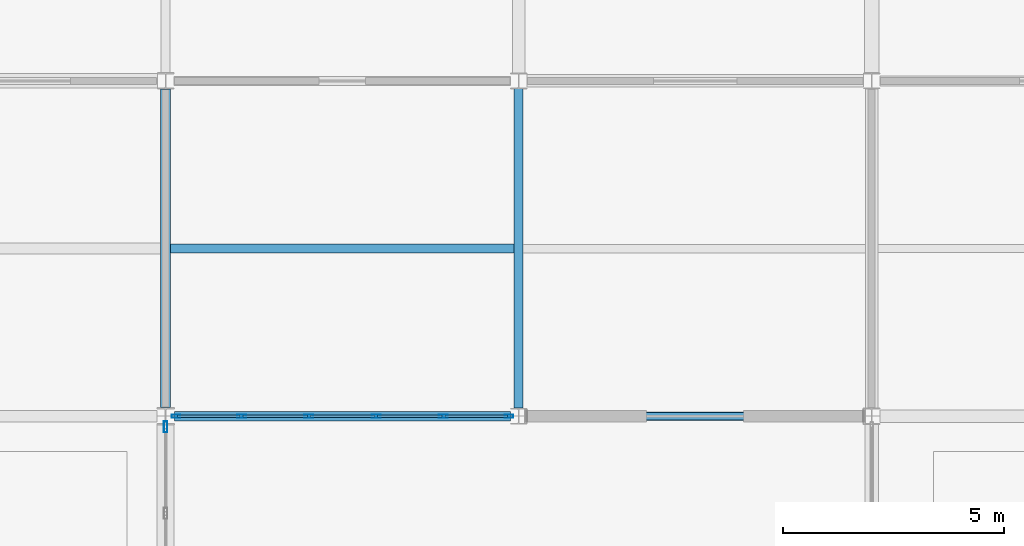
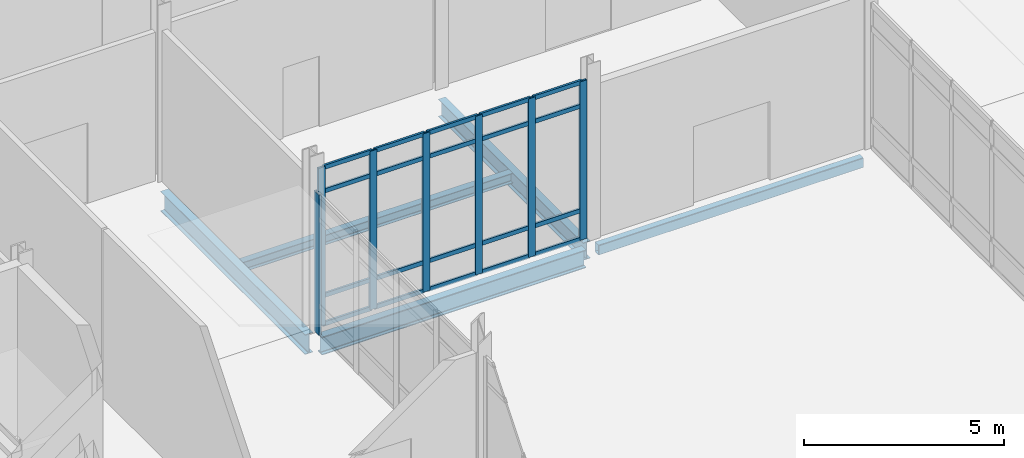
# One storey, part 56 of 229: 27 members, 5 beams, 2 elements without a shape of their own.
"""IFC4 building model written with IfcOpenShell, lengths in metres."""

from ifc_helpers import new_model, si_unit, direction, frame, origin, origin_2d, place, context, subcontext, project, spatial, hollow_rectangle, i_section, extrude, material, layer, layer_set, material_profile, profile_set, type_object, element, aggregate, save


model = new_model("IFC4")

# Units and contexts
model_context = context("Model", 3, precision=1e-05, world=origin(), true_north=direction((0.0, 1.0)))
body_context = subcontext(model_context, "Body", "Model", "MODEL_VIEW")
ifc_project = project(units=[si_unit("LENGTHUNIT", "METRE"), si_unit("AREAUNIT", "SQUARE_METRE"), si_unit("VOLUMEUNIT", "CUBIC_METRE"), si_unit("PLANEANGLEUNIT", "RADIAN"), si_unit("MASSUNIT", "GRAM", prefix="KILO")], contexts=[model_context])

# Site, building, storey
site_placement = place(None, origin())
site = spatial("IfcSite", under=ifc_project, at=site_placement, CompositionType="ELEMENT")
building_placement = place(site_placement, origin())
building = spatial("IfcBuilding", under=site, at=building_placement, Name="Calvrana Isthmian Art Gallery", CompositionType="ELEMENT")
storey_placement = place(building_placement, origin())
storey = spatial("IfcBuildingStorey", under=building, at=storey_placement, Name="L00", CompositionType="ELEMENT", Elevation=0.0)

# Beams
ifc_material_1 = material(Name="Steel ASTM A992 Gr 50", Category="steel")
ifc_material_profile_1 = material_profile(ifc_material_1, i_section(OverallWidth=0.208984375, OverallDepth=0.532958984375, WebThickness=0.01025390625, FlangeThickness=0.015625, FilletRadius=0.02099609375, at=origin_2d()), Name="W21X62")
ifc_profile_set_1 = profile_set([ifc_material_profile_1], Name="Steel ASTM A992 Gr 50")
beam_type_1 = type_object("IfcBeamType", Name="BM-G-W21X62", PredefinedType="BEAM", material=ifc_profile_set_1)
beam_1_placement = place(storey_placement, frame((88.39990234375, 46.986572265625, -0.551513671875), z_axis=(0.0, 1.0, 0.0), x_axis=(-1.0, 0.0, 0.0)))
element("IfcBeam", 1, at=beam_1_placement, inside=storey, type_object=beam_type_1, Name="Girder Y L00 12/G-H", PredefinedType="BEAM", context=body_context, shape_type="SweptSolid", body=[
    extrude(i_section(OverallWidth=0.208984375, OverallDepth=0.532958984375, WebThickness=0.01025390625, FlangeThickness=0.015625, FilletRadius=0.02099609375, at=origin_2d()), origin(), (0.0, 0.0, 1.0), 7.2353515625),
])
ifc_material_profile_2 = material_profile(ifc_material_1, i_section(OverallWidth=0.214111328125, OverallDepth=0.549072265625, WebThickness=0.0146484375, FlangeThickness=0.023681640625, FilletRadius=0.02099609375, at=origin_2d()), Name="W21X93")
ifc_profile_set_2 = profile_set([ifc_material_profile_2], Name="Steel ASTM A992 Gr 50")
beam_type_2 = type_object("IfcBeamType", Name="BM-G-W21X93", PredefinedType="BEAM", material=ifc_profile_set_2)
beam_2_placement = place(storey_placement, frame((80.599609375, 46.800048828125, -0.5595703125), z_axis=(1.0, 0.0, 0.0), x_axis=(0.0, 1.0, 0.0)))
element("IfcBeam", 2, at=beam_2_placement, inside=storey, type_object=beam_type_2, Name="Girder X L00 11-12/G", PredefinedType="BEAM", context=body_context, shape_type="SweptSolid", body=[
    extrude(i_section(OverallWidth=0.214111328125, OverallDepth=0.549072265625, WebThickness=0.0146484375, FlangeThickness=0.023681640625, FilletRadius=0.02099609375, at=origin_2d()), origin(), (0.0, 0.0, 1.0), 7.61376953125),
])
ifc_material_profile_3 = material_profile(ifc_material_1, i_section(OverallWidth=0.22802734375, OverallDepth=0.60693359375, WebThickness=0.01123046875, FlangeThickness=0.017333984375, FilletRadius=0.02197265625, at=origin_2d()), Name="W24X76")
ifc_profile_set_3 = profile_set([ifc_material_profile_3], Name="Steel ASTM A992 Gr 50")
beam_type_3 = type_object("IfcBeamType", Name="BM-G-W24X76", PredefinedType="BEAM", material=ifc_profile_set_3)
beam_3_placement = place(storey_placement, frame((80.39990234375, 46.9970703125, -0.58837890625), z_axis=(0.0, 1.0, 0.0), x_axis=(-1.0, 0.0, 0.0)))
element("IfcBeam", 3, at=beam_3_placement, inside=storey, type_object=beam_type_3, Name="Girder Y L00 11/G-H", PredefinedType="BEAM", context=body_context, shape_type="SweptSolid", body=[
    extrude(i_section(OverallWidth=0.22802734375, OverallDepth=0.60693359375, WebThickness=0.01123046875, FlangeThickness=0.017333984375, FilletRadius=0.02197265625, at=origin_2d()), origin(), (0.0, 0.0, 1.0), 7.221435546875),
])
ifc_material_profile_4 = material_profile(ifc_material_1, i_section(OverallWidth=0.202880859375, OverallDepth=0.302001953125, WebThickness=0.007568359375, FlangeThickness=0.01318359375, FilletRadius=0.01611328125, at=origin_2d()), Name="W12X40")
ifc_profile_set_4 = profile_set([ifc_material_profile_4], Name="Steel ASTM A992 Gr 50")
beam_type_4 = type_object("IfcBeamType", Name="BM-J-W12X40", PredefinedType="JOIST", material=ifc_profile_set_4)
beam_4_placement = place(storey_placement, frame((80.513916015625, 50.60009765625, -0.43603515625), z_axis=(1.0, 0.0, 0.0), x_axis=(0.0, 1.0, 0.0)))
element("IfcBeam", 4, at=beam_4_placement, inside=storey, type_object=beam_type_4, Name="Composite joist L00 bay 10-06", PredefinedType="JOIST", context=body_context, shape_type="SweptSolid", body=[
    extrude(i_section(OverallWidth=0.202880859375, OverallDepth=0.302001953125, WebThickness=0.007568359375, FlangeThickness=0.01318359375, FilletRadius=0.01611328125, at=origin_2d()), origin(), (0.0, 0.0, 1.0), 7.781494140625),
])
ifc_material_2 = material(Name="Steel ASTM A500 Gr C", Category="steel")
ifc_material_profile_5 = material_profile(ifc_material_2, hollow_rectangle(XDim=0.203125, YDim=0.3046875, WallThickness=0.0126953125, OuterFilletRadius=0.02490234375, at=origin_2d()), Name="HSS305X203X12.7")
ifc_profile_set_5 = profile_set([ifc_material_profile_5], Name="Steel ASTM A500 Gr C")
beam_type_5 = type_object("IfcBeamType", Name="BM-SP-HSS305", PredefinedType="SPANDREL", material=ifc_profile_set_5)
beam_5_placement = place(storey_placement, frame((88.58642578125, 46.800048828125, -0.4375), z_axis=(1.0, 0.0, 0.0), x_axis=(0.0, 1.0, 0.0)))
element("IfcBeam", 5, at=beam_5_placement, inside=storey, type_object=beam_type_5, Name="Girder X L00 12-13/G", PredefinedType="SPANDREL", context=body_context, shape_type="SweptSolid", body=[
    extrude(hollow_rectangle(XDim=0.203125, YDim=0.3046875, WallThickness=0.0126953125, OuterFilletRadius=0.02490234375, at=origin_2d()), origin(), (0.0, 0.0, 1.0), 7.626953125),
])

# Curtain wall, members
ifc_material_3 = material(Name="Anodized bronze aluminium 6063-T6", Category="aluminium")
ifc_layer_1 = layer(ifc_material_3, 0.179931640625, Name="Anodized bronze aluminium 6063-T6")
ifc_layer_set_1 = layer_set([ifc_layer_1], Name="Anodized bronze aluminium 6063-T6")
curtain_wall_type_1 = type_object("IfcCurtainWallType", Name="CW-UNIT-076X48", PredefinedType="USERDEFINED", material=ifc_layer_set_1)
curtain_wall_1_placement = place(storey_placement, origin())
curtain_wall_1 = element("IfcCurtainWall", 6, at=curtain_wall_1_placement, inside=storey, type_object=curtain_wall_type_1, Name="Curtain wall CW-021", ObjectType="UNITISED CURTAIN WALL", PredefinedType="USERDEFINED")
ifc_material_profile_6 = material_profile(ifc_material_3, hollow_rectangle(XDim=0.070068359375, YDim=0.199951171875, WallThickness=0.0048828125, at=origin_2d()), Name="CWM70X200")
ifc_profile_set_6 = profile_set([ifc_material_profile_6], Name="Anodized bronze aluminium 6063-T6")
member_type_1 = type_object("IfcMemberType", Name="CWM-CWM70X200", PredefinedType="MULLION", material=ifc_profile_set_6)
member_1_placement = place(storey_placement, frame((88.180908203125, 46.800048828125, 0.0), z_axis=(0.0, 0.0, 1.0), x_axis=(0.0, -1.0, 0.0)))
member_1 = element("IfcMember", 7, at=member_1_placement, type_object=member_type_1, Name="CW-021 mullion 1", PredefinedType="MULLION", context=body_context, shape_type="SweptSolid", body=[
    extrude(hollow_rectangle(XDim=0.070068359375, YDim=0.199951171875, WallThickness=0.0048828125, at=origin_2d()), origin(), (0.0, 0.0, 1.0), 4.835205078125),
])
member_2_placement = place(storey_placement, frame((86.69287109375, 46.800048828125, 0.0), z_axis=(0.0, 0.0, 1.0), x_axis=(0.0, -1.0, 0.0)))
member_2 = element("IfcMember", 8, at=member_2_placement, type_object=member_type_1, Name="CW-021 mullion 2", PredefinedType="MULLION", context=body_context, shape_type="SweptSolid", body=[
    extrude(hollow_rectangle(XDim=0.070068359375, YDim=0.199951171875, WallThickness=0.0048828125, at=origin_2d()), origin(), (0.0, 0.0, 1.0), 4.835205078125),
])
member_3_placement = place(storey_placement, frame((85.169921875, 46.800048828125, 0.0), z_axis=(0.0, 0.0, 1.0), x_axis=(0.0, -1.0, 0.0)))
member_3 = element("IfcMember", 9, at=member_3_placement, type_object=member_type_1, Name="CW-021 mullion 3", PredefinedType="MULLION", context=body_context, shape_type="SweptSolid", body=[
    extrude(hollow_rectangle(XDim=0.070068359375, YDim=0.199951171875, WallThickness=0.0048828125, at=origin_2d()), origin(), (0.0, 0.0, 1.0), 4.835205078125),
])
member_4_placement = place(storey_placement, frame((83.646728515625, 46.800048828125, 0.0), z_axis=(0.0, 0.0, 1.0), x_axis=(0.0, -1.0, 0.0)))
member_4 = element("IfcMember", 10, at=member_4_placement, type_object=member_type_1, Name="CW-021 mullion 4", PredefinedType="MULLION", context=body_context, shape_type="SweptSolid", body=[
    extrude(hollow_rectangle(XDim=0.070068359375, YDim=0.199951171875, WallThickness=0.0048828125, at=origin_2d()), origin(), (0.0, 0.0, 1.0), 4.835205078125),
])
member_5_placement = place(storey_placement, frame((82.12353515625, 46.800048828125, 0.0), z_axis=(0.0, 0.0, 1.0), x_axis=(0.0, -1.0, 0.0)))
member_5 = element("IfcMember", 11, at=member_5_placement, type_object=member_type_1, Name="CW-021 mullion 5", PredefinedType="MULLION", context=body_context, shape_type="SweptSolid", body=[
    extrude(hollow_rectangle(XDim=0.070068359375, YDim=0.199951171875, WallThickness=0.0048828125, at=origin_2d()), origin(), (0.0, 0.0, 1.0), 4.835205078125),
])
member_6_placement = place(storey_placement, frame((80.635498046875, 46.800048828125, 0.0), z_axis=(0.0, 0.0, 1.0), x_axis=(0.0, -1.0, 0.0)))
member_6 = element("IfcMember", 12, at=member_6_placement, type_object=member_type_1, Name="CW-021 mullion 6", PredefinedType="MULLION", context=body_context, shape_type="SweptSolid", body=[
    extrude(hollow_rectangle(XDim=0.070068359375, YDim=0.199951171875, WallThickness=0.0048828125, at=origin_2d()), origin(), (0.0, 0.0, 1.0), 4.835205078125),
])

# Curtain wall, member
ifc_layer_2 = layer(ifc_material_3, 0.179931640625, Name="Anodized bronze aluminium 6063-T6")
ifc_layer_set_2 = layer_set([ifc_layer_2], Name="Anodized bronze aluminium 6063-T6")
curtain_wall_type_2 = type_object("IfcCurtainWallType", Name="CW-STICK-080X43", PredefinedType="NOTDEFINED", material=ifc_layer_set_2)
curtain_wall_2_placement = place(storey_placement, origin())
curtain_wall_2 = element("IfcCurtainWall", 13, at=curtain_wall_2_placement, inside=storey, type_object=curtain_wall_type_2, Name="Curtain wall CW-071", PredefinedType="NOTDEFINED")
ifc_material_profile_7 = material_profile(ifc_material_3, hollow_rectangle(XDim=0.080078125, YDim=0.25, WallThickness=0.005615234375, at=origin_2d()), Name="CWM80X250")
ifc_profile_set_7 = profile_set([ifc_material_profile_7], Name="Anodized bronze aluminium 6063-T6")
member_type_2 = type_object("IfcMemberType", Name="CWM-CWM80X250", PredefinedType="MULLION", material=ifc_profile_set_7)
member_7_placement = place(storey_placement, frame((80.39990234375, 46.560546875, 0.0), z_axis=(0.0, 0.0, 1.0), x_axis=(1.0, 0.0, 0.0)))
member_7 = element("IfcMember", 14, at=member_7_placement, type_object=member_type_2, Name="CW-071 mullion 1", PredefinedType="MULLION", context=body_context, shape_type="SweptSolid", body=[
    extrude(hollow_rectangle(XDim=0.080078125, YDim=0.25, WallThickness=0.005615234375, at=origin_2d()), origin(), (0.0, 0.0, 1.0), 4.283935546875),
])
aggregate(curtain_wall_2, [member_7])

# Member
ifc_material_profile_8 = material_profile(ifc_material_3, hollow_rectangle(XDim=0.06005859375, YDim=0.1298828125, WallThickness=0.00390625, at=origin_2d()), Name="CWT60X130")
ifc_profile_set_8 = profile_set([ifc_material_profile_8], Name="Anodized bronze aluminium 6063-T6")
member_type_3 = type_object("IfcMemberType", Name="CWT-CWT60X130", PredefinedType="USERDEFINED", material=ifc_profile_set_8)
member_8_placement = place(storey_placement, frame((88.14599609375, 46.800048828125, 0.030029296875), z_axis=(-1.0, 0.0, 0.0), x_axis=(0.0, -1.0, 0.0)))
member_8 = element("IfcMember", 15, at=member_8_placement, type_object=member_type_3, Name="CW-021 transom 1.1", ObjectType="TRANSOM", PredefinedType="USERDEFINED", context=body_context, shape_type="SweptSolid", body=[
    extrude(hollow_rectangle(XDim=0.06005859375, YDim=0.1298828125, WallThickness=0.00390625, at=origin_2d()), origin(), (0.0, 0.0, 1.0), 1.418212890625),
])

member_9_placement = place(storey_placement, frame((88.14599609375, 46.800048828125, 0.89990234375), z_axis=(-1.0, 0.0, 0.0), x_axis=(0.0, -1.0, 0.0)))
member_9 = element("IfcMember", 16, at=member_9_placement, type_object=member_type_3, Name="CW-021 transom 1.2", ObjectType="TRANSOM", PredefinedType="USERDEFINED", context=body_context, shape_type="SweptSolid", body=[
    extrude(hollow_rectangle(XDim=0.06005859375, YDim=0.1298828125, WallThickness=0.00390625, at=origin_2d()), origin(), (0.0, 0.0, 1.0), 1.418212890625),
])

member_10_placement = place(storey_placement, frame((88.14599609375, 46.800048828125, 4.085205078125), z_axis=(-1.0, 0.0, 0.0), x_axis=(0.0, -1.0, 0.0)))
member_10 = element("IfcMember", 17, at=member_10_placement, type_object=member_type_3, Name="CW-021 transom 1.3", ObjectType="TRANSOM", PredefinedType="USERDEFINED", context=body_context, shape_type="SweptSolid", body=[
    extrude(hollow_rectangle(XDim=0.06005859375, YDim=0.1298828125, WallThickness=0.00390625, at=origin_2d()), origin(), (0.0, 0.0, 1.0), 1.418212890625),
])

member_11_placement = place(storey_placement, frame((88.14599609375, 46.800048828125, 4.80517578125), z_axis=(-1.0, 0.0, 0.0), x_axis=(0.0, -1.0, 0.0)))
member_11 = element("IfcMember", 18, at=member_11_placement, type_object=member_type_3, Name="CW-021 transom 1.4", ObjectType="TRANSOM", PredefinedType="USERDEFINED", context=body_context, shape_type="SweptSolid", body=[
    extrude(hollow_rectangle(XDim=0.06005859375, YDim=0.1298828125, WallThickness=0.00390625, at=origin_2d()), origin(), (0.0, 0.0, 1.0), 1.418212890625),
])

member_12_placement = place(storey_placement, frame((86.657958984375, 46.800048828125, 0.030029296875), z_axis=(-1.0, 0.0, 0.0), x_axis=(0.0, -1.0, 0.0)))
member_12 = element("IfcMember", 19, at=member_12_placement, type_object=member_type_3, Name="CW-021 transom 2.1", ObjectType="TRANSOM", PredefinedType="USERDEFINED", context=body_context, shape_type="SweptSolid", body=[
    extrude(hollow_rectangle(XDim=0.06005859375, YDim=0.1298828125, WallThickness=0.00390625, at=origin_2d()), origin(), (0.0, 0.0, 1.0), 1.453125),
])

member_13_placement = place(storey_placement, frame((86.657958984375, 46.800048828125, 0.89990234375), z_axis=(-1.0, 0.0, 0.0), x_axis=(0.0, -1.0, 0.0)))
member_13 = element("IfcMember", 20, at=member_13_placement, type_object=member_type_3, Name="CW-021 transom 2.2", ObjectType="TRANSOM", PredefinedType="USERDEFINED", context=body_context, shape_type="SweptSolid", body=[
    extrude(hollow_rectangle(XDim=0.06005859375, YDim=0.1298828125, WallThickness=0.00390625, at=origin_2d()), origin(), (0.0, 0.0, 1.0), 1.453125),
])

member_14_placement = place(storey_placement, frame((86.657958984375, 46.800048828125, 4.085205078125), z_axis=(-1.0, 0.0, 0.0), x_axis=(0.0, -1.0, 0.0)))
member_14 = element("IfcMember", 21, at=member_14_placement, type_object=member_type_3, Name="CW-021 transom 2.3", ObjectType="TRANSOM", PredefinedType="USERDEFINED", context=body_context, shape_type="SweptSolid", body=[
    extrude(hollow_rectangle(XDim=0.06005859375, YDim=0.1298828125, WallThickness=0.00390625, at=origin_2d()), origin(), (0.0, 0.0, 1.0), 1.453125),
])

member_15_placement = place(storey_placement, frame((86.657958984375, 46.800048828125, 4.80517578125), z_axis=(-1.0, 0.0, 0.0), x_axis=(0.0, -1.0, 0.0)))
member_15 = element("IfcMember", 22, at=member_15_placement, type_object=member_type_3, Name="CW-021 transom 2.4", ObjectType="TRANSOM", PredefinedType="USERDEFINED", context=body_context, shape_type="SweptSolid", body=[
    extrude(hollow_rectangle(XDim=0.06005859375, YDim=0.1298828125, WallThickness=0.00390625, at=origin_2d()), origin(), (0.0, 0.0, 1.0), 1.453125),
])

member_16_placement = place(storey_placement, frame((85.134765625, 46.800048828125, 0.030029296875), z_axis=(-1.0, 0.0, 0.0), x_axis=(0.0, -1.0, 0.0)))
member_16 = element("IfcMember", 23, at=member_16_placement, type_object=member_type_3, Name="CW-021 transom 3.1", ObjectType="TRANSOM", PredefinedType="USERDEFINED", context=body_context, shape_type="SweptSolid", body=[
    extrude(hollow_rectangle(XDim=0.06005859375, YDim=0.1298828125, WallThickness=0.00390625, at=origin_2d()), origin(), (0.0, 0.0, 1.0), 1.453125),
])

member_17_placement = place(storey_placement, frame((85.134765625, 46.800048828125, 0.89990234375), z_axis=(-1.0, 0.0, 0.0), x_axis=(0.0, -1.0, 0.0)))
member_17 = element("IfcMember", 24, at=member_17_placement, type_object=member_type_3, Name="CW-021 transom 3.2", ObjectType="TRANSOM", PredefinedType="USERDEFINED", context=body_context, shape_type="SweptSolid", body=[
    extrude(hollow_rectangle(XDim=0.06005859375, YDim=0.1298828125, WallThickness=0.00390625, at=origin_2d()), origin(), (0.0, 0.0, 1.0), 1.453125),
])

member_18_placement = place(storey_placement, frame((85.134765625, 46.800048828125, 4.085205078125), z_axis=(-1.0, 0.0, 0.0), x_axis=(0.0, -1.0, 0.0)))
member_18 = element("IfcMember", 25, at=member_18_placement, type_object=member_type_3, Name="CW-021 transom 3.3", ObjectType="TRANSOM", PredefinedType="USERDEFINED", context=body_context, shape_type="SweptSolid", body=[
    extrude(hollow_rectangle(XDim=0.06005859375, YDim=0.1298828125, WallThickness=0.00390625, at=origin_2d()), origin(), (0.0, 0.0, 1.0), 1.453125),
])

member_19_placement = place(storey_placement, frame((85.134765625, 46.800048828125, 4.80517578125), z_axis=(-1.0, 0.0, 0.0), x_axis=(0.0, -1.0, 0.0)))
member_19 = element("IfcMember", 26, at=member_19_placement, type_object=member_type_3, Name="CW-021 transom 3.4", ObjectType="TRANSOM", PredefinedType="USERDEFINED", context=body_context, shape_type="SweptSolid", body=[
    extrude(hollow_rectangle(XDim=0.06005859375, YDim=0.1298828125, WallThickness=0.00390625, at=origin_2d()), origin(), (0.0, 0.0, 1.0), 1.453125),
])

member_20_placement = place(storey_placement, frame((83.61181640625, 46.800048828125, 0.030029296875), z_axis=(-1.0, 0.0, 0.0), x_axis=(0.0, -1.0, 0.0)))
member_20 = element("IfcMember", 27, at=member_20_placement, type_object=member_type_3, Name="CW-021 transom 4.1", ObjectType="TRANSOM", PredefinedType="USERDEFINED", context=body_context, shape_type="SweptSolid", body=[
    extrude(hollow_rectangle(XDim=0.06005859375, YDim=0.1298828125, WallThickness=0.00390625, at=origin_2d()), origin(), (0.0, 0.0, 1.0), 1.453125),
])

member_21_placement = place(storey_placement, frame((83.61181640625, 46.800048828125, 0.89990234375), z_axis=(-1.0, 0.0, 0.0), x_axis=(0.0, -1.0, 0.0)))
member_21 = element("IfcMember", 28, at=member_21_placement, type_object=member_type_3, Name="CW-021 transom 4.2", ObjectType="TRANSOM", PredefinedType="USERDEFINED", context=body_context, shape_type="SweptSolid", body=[
    extrude(hollow_rectangle(XDim=0.06005859375, YDim=0.1298828125, WallThickness=0.00390625, at=origin_2d()), origin(), (0.0, 0.0, 1.0), 1.453125),
])

member_22_placement = place(storey_placement, frame((83.61181640625, 46.800048828125, 4.085205078125), z_axis=(-1.0, 0.0, 0.0), x_axis=(0.0, -1.0, 0.0)))
member_22 = element("IfcMember", 29, at=member_22_placement, type_object=member_type_3, Name="CW-021 transom 4.3", ObjectType="TRANSOM", PredefinedType="USERDEFINED", context=body_context, shape_type="SweptSolid", body=[
    extrude(hollow_rectangle(XDim=0.06005859375, YDim=0.1298828125, WallThickness=0.00390625, at=origin_2d()), origin(), (0.0, 0.0, 1.0), 1.453125),
])

member_23_placement = place(storey_placement, frame((83.61181640625, 46.800048828125, 4.80517578125), z_axis=(-1.0, 0.0, 0.0), x_axis=(0.0, -1.0, 0.0)))
member_23 = element("IfcMember", 30, at=member_23_placement, type_object=member_type_3, Name="CW-021 transom 4.4", ObjectType="TRANSOM", PredefinedType="USERDEFINED", context=body_context, shape_type="SweptSolid", body=[
    extrude(hollow_rectangle(XDim=0.06005859375, YDim=0.1298828125, WallThickness=0.00390625, at=origin_2d()), origin(), (0.0, 0.0, 1.0), 1.453125),
])

member_24_placement = place(storey_placement, frame((82.088623046875, 46.800048828125, 0.030029296875), z_axis=(-1.0, 0.0, 0.0), x_axis=(0.0, -1.0, 0.0)))
member_24 = element("IfcMember", 31, at=member_24_placement, type_object=member_type_3, Name="CW-021 transom 5.1", ObjectType="TRANSOM", PredefinedType="USERDEFINED", context=body_context, shape_type="SweptSolid", body=[
    extrude(hollow_rectangle(XDim=0.06005859375, YDim=0.1298828125, WallThickness=0.00390625, at=origin_2d()), origin(), (0.0, 0.0, 1.0), 1.418212890625),
])

member_25_placement = place(storey_placement, frame((82.088623046875, 46.800048828125, 0.89990234375), z_axis=(-1.0, 0.0, 0.0), x_axis=(0.0, -1.0, 0.0)))
member_25 = element("IfcMember", 32, at=member_25_placement, type_object=member_type_3, Name="CW-021 transom 5.2", ObjectType="TRANSOM", PredefinedType="USERDEFINED", context=body_context, shape_type="SweptSolid", body=[
    extrude(hollow_rectangle(XDim=0.06005859375, YDim=0.1298828125, WallThickness=0.00390625, at=origin_2d()), origin(), (0.0, 0.0, 1.0), 1.418212890625),
])

member_26_placement = place(storey_placement, frame((82.088623046875, 46.800048828125, 4.085205078125), z_axis=(-1.0, 0.0, 0.0), x_axis=(0.0, -1.0, 0.0)))
member_26 = element("IfcMember", 33, at=member_26_placement, type_object=member_type_3, Name="CW-021 transom 5.3", ObjectType="TRANSOM", PredefinedType="USERDEFINED", context=body_context, shape_type="SweptSolid", body=[
    extrude(hollow_rectangle(XDim=0.06005859375, YDim=0.1298828125, WallThickness=0.00390625, at=origin_2d()), origin(), (0.0, 0.0, 1.0), 1.418212890625),
])

member_27_placement = place(storey_placement, frame((82.088623046875, 46.800048828125, 4.80517578125), z_axis=(-1.0, 0.0, 0.0), x_axis=(0.0, -1.0, 0.0)))
member_27 = element("IfcMember", 34, at=member_27_placement, type_object=member_type_3, Name="CW-021 transom 5.4", ObjectType="TRANSOM", PredefinedType="USERDEFINED", context=body_context, shape_type="SweptSolid", body=[
    extrude(hollow_rectangle(XDim=0.06005859375, YDim=0.1298828125, WallThickness=0.00390625, at=origin_2d()), origin(), (0.0, 0.0, 1.0), 1.418212890625),
])

aggregate(curtain_wall_1, [member_1, member_2, member_3, member_4, member_5, member_6, member_8, member_9, member_10, member_11, member_12, member_13, member_14, member_15, member_16, member_17, member_18, member_19, member_20, member_21, member_22, member_23, member_24, member_25, member_26, member_27])

save(model, "model.ifc")
